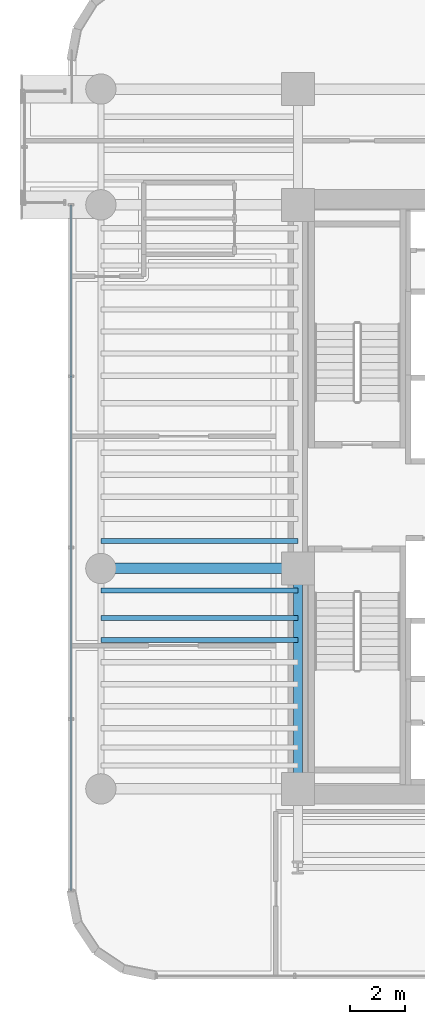
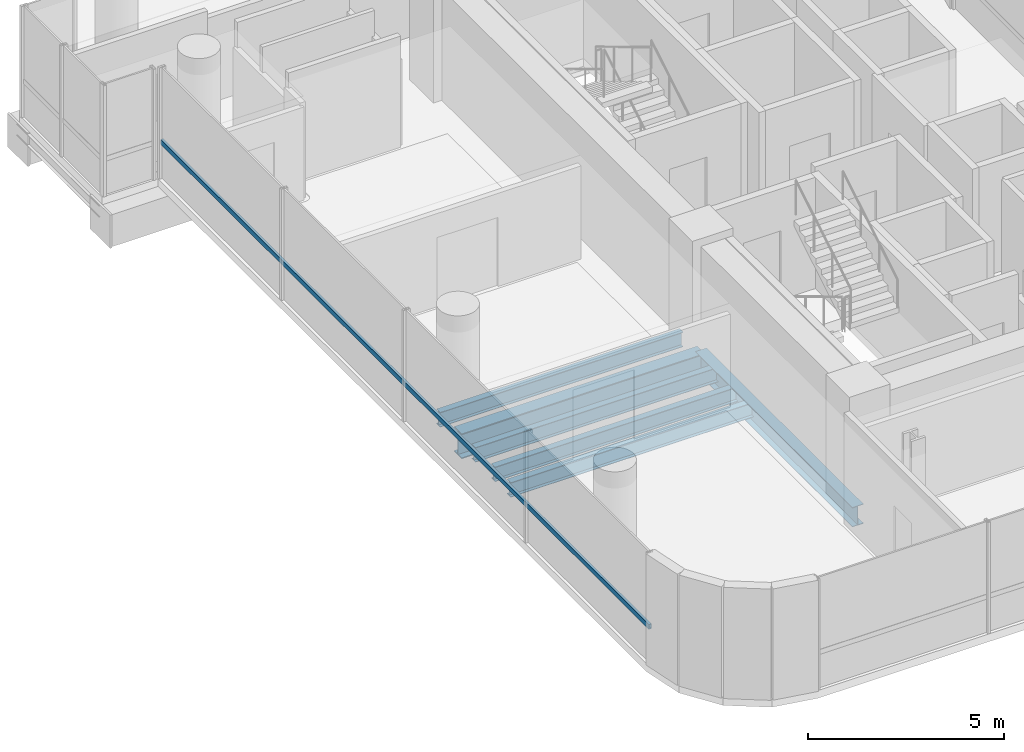
# One storey, part 5 of 34: 6 beams, 1 member, 1 element without a shape of its own.
"""IFC4 building model written with IfcOpenShell, lengths in metres."""

import ifcopenshell
import ifcopenshell.guid

model = None  # the IFC model being written
_history = None  # IfcOwnerHistory: only IFC2X3 demands one
_inside = {}  # id of a spatial element -> (the spatial element, [elements in it])
_under = {}  # id of a project, library or spatial element -> (it, [spatial elements below it])
_declared = {}  # id of a project -> (the project, [libraries it declares])
_typed = {}  # id of a type object -> (the type object, [elements of that type])
_made_of = {}  # id of a material, layer set ... -> (it, [elements and type objects made of it])


def new_model(schema):
    """Start an empty IFC model of exactly this schema.

    Asked for "IFC4X3", IfcOpenShell would pick the latest addendum, in which some entities
    have other attributes; the version numbers below select the first issue.
    IFC2X3 requires an IfcOwnerHistory on every rooted entity: one is made here for all.
    """
    global model, _history
    if schema == "IFC4X3":
        model = ifcopenshell.file(schema_version=(4, 3, 0, 0))
    else:
        model = ifcopenshell.file(schema=schema)
    _inside.clear()
    _under.clear()
    _declared.clear()
    _typed.clear()
    _made_of.clear()
    _history = None
    if model.schema == "IFC2X3":
        org = make("IfcOrganization", Name="unknown")
        user = make(
            "IfcPersonAndOrganization",
            ThePerson=make("IfcPerson", FamilyName="unknown"),
            TheOrganization=org,
        )
        app = make(
            "IfcApplication",
            ApplicationDeveloper=org,
            Version="unknown",
            ApplicationFullName="unknown",
            ApplicationIdentifier="unknown",
        )
        _history = make(
            "IfcOwnerHistory",
            OwningUser=user,
            OwningApplication=app,
            ChangeAction="ADDED",
            CreationDate=0,
        )
    return model


def make(cls, **values):
    """One entity of the class cls with the attributes given. An attribute that is None is left unset."""
    return model.create_entity(
        cls, **{name: value for name, value in values.items() if value is not None}
    )


def rooted(cls, **values):
    """An entity with a GlobalId (a new one), such as an element, a storey or a relation."""
    return make(cls, GlobalId=ifcopenshell.guid.new(), OwnerHistory=_history, **values)


def si_unit(unit_type, name, prefix=None):
    """IfcSIUnit, for example si_unit("LENGTHUNIT", "METRE", prefix="MILLI")."""
    return make("IfcSIUnit", UnitType=unit_type, Prefix=prefix, Name=name)


def assignment(units):
    """IfcUnitAssignment: the units of a project."""
    return None if units is None else make("IfcUnitAssignment", Units=units)


def point(xyz):
    """IfcCartesianPoint."""
    return None if xyz is None else make("IfcCartesianPoint", Coordinates=xyz)


def direction(xyz):
    """IfcDirection."""
    return None if xyz is None else make("IfcDirection", DirectionRatios=xyz)


def frame(location, z_axis=None, x_axis=None):
    """IfcAxis2Placement3D, a coordinate frame: its origin and axes. An axis left out is left unset."""
    return make(
        "IfcAxis2Placement3D",
        Location=point(location),
        Axis=direction(z_axis),
        RefDirection=direction(x_axis),
    )


def frame_2d(location, x_axis=None):
    """IfcAxis2Placement2D, a coordinate frame in the plane: its origin and x axis."""
    return make(
        "IfcAxis2Placement2D", Location=point(location), RefDirection=direction(x_axis)
    )


def origin():
    """The frame at (0, 0, 0) with its axes left unset."""
    return frame((0.0, 0.0, 0.0))


def origin_2d():
    """The frame at (0, 0) in the plane with its x axis left unset."""
    return frame_2d((0.0, 0.0))


def place(relative_to, where):
    """IfcLocalPlacement: puts the frame where relative to a parent placement (None: the world)."""
    return make(
        "IfcLocalPlacement", PlacementRelTo=relative_to, RelativePlacement=where
    )


def context(
    kind, dimensions, precision=None, world=None, true_north=None, identifier=None
):
    """IfcGeometricRepresentationContext, for example the 3D "Model" context."""
    return make(
        "IfcGeometricRepresentationContext",
        ContextIdentifier=identifier,
        ContextType=kind,
        CoordinateSpaceDimension=dimensions,
        Precision=precision,
        WorldCoordinateSystem=world,
        TrueNorth=true_north,
    )


def subcontext(parent, identifier, kind, view, scale=None):
    """IfcGeometricRepresentationSubContext, for example "Body" below "Model"."""
    return make(
        "IfcGeometricRepresentationSubContext",
        ContextIdentifier=identifier,
        ContextType=kind,
        ParentContext=parent,
        TargetScale=scale,
        TargetView=view,
    )


def project(units=None, contexts=None):
    """IfcProject with its units and contexts."""
    return rooted(
        "IfcProject",
        Name="project",
        RepresentationContexts=contexts,
        UnitsInContext=assignment(units),
    )


def spatial(cls, under=None, at=None, **own):
    """A site, building, storey or space (cls), placed at a placement, below another one or the project."""
    s = rooted(cls, ObjectPlacement=at, **own)
    if under is not None:
        _under.setdefault(under.id(), (under, []))[1].append(s)
    return s


def profile(cls, at=None, kind="AREA", **sizes):
    """A parametric profile (cls). Its sizes go by their IFC names, for example OverallWidth=200.0."""
    return make(cls, ProfileType=kind, Position=at, **sizes)


def hollow_rectangle(**sizes):
    """IfcRectangleHollowProfileDef."""
    return profile("IfcRectangleHollowProfileDef", **sizes)


def i_section(**sizes):
    """IfcIShapeProfileDef."""
    return profile("IfcIShapeProfileDef", **sizes)


def extrude(swept, where, along, depth):
    """IfcExtrudedAreaSolid: the profile swept, set in the frame where, extruded along a direction by depth."""
    return make(
        "IfcExtrudedAreaSolid",
        SweptArea=swept,
        Position=where,
        ExtrudedDirection=direction(along),
        Depth=depth,
    )


def shape(context_of_items, identifier, shape_type, items):
    """IfcShapeRepresentation: the items that make up one representation, for example the "Body"."""
    return make(
        "IfcShapeRepresentation",
        ContextOfItems=context_of_items,
        RepresentationIdentifier=identifier,
        RepresentationType=shape_type,
        Items=items,
    )


def source(mapping_origin, context_of_items, identifier, shape_type, items):
    """IfcRepresentationMap: a shape defined once, which mapped items show again and again."""
    return make(
        "IfcRepresentationMap",
        MappingOrigin=mapping_origin,
        MappedRepresentation=shape(context_of_items, identifier, shape_type, items),
    )


def transform(
    local_origin,
    x_axis=None,
    y_axis=None,
    z_axis=None,
    scale=None,
    scale2=None,
    scale3=None,
    uniform=True,
):
    """IfcCartesianTransformationOperator3D, or its non-uniform kind. x_axis, y_axis, z_axis: its Axis1, 2, 3."""
    if uniform:
        return make(
            "IfcCartesianTransformationOperator3D",
            Axis1=direction(x_axis),
            Axis2=direction(y_axis),
            LocalOrigin=point(local_origin),
            Scale=scale,
            Axis3=direction(z_axis),
        )
    return make(
        "IfcCartesianTransformationOperator3DnonUniform",
        Axis1=direction(x_axis),
        Axis2=direction(y_axis),
        LocalOrigin=point(local_origin),
        Scale=scale,
        Axis3=direction(z_axis),
        Scale2=scale2,
        Scale3=scale3,
    )


def mapped(mapping_source, mapping_target):
    """IfcMappedItem: shows the shape of a source again, moved by a transform."""
    return make(
        "IfcMappedItem", MappingSource=mapping_source, MappingTarget=mapping_target
    )


def material(Name=None, Category=None):
    """IfcMaterial."""
    return make("IfcMaterial", Name=Name, Category=Category)


def material_profile(
    of_material, cross_section, Name=None, Category=None, Priority=None
):
    """IfcMaterialProfile: a cross section and its material."""
    return make(
        "IfcMaterialProfile",
        Name=Name,
        Material=of_material,
        Profile=cross_section,
        Priority=Priority,
        Category=Category,
    )


def profile_set(profiles, Name=None, composite=None):
    """IfcMaterialProfileSet."""
    return make(
        "IfcMaterialProfileSet",
        Name=Name,
        MaterialProfiles=profiles,
        CompositeProfile=composite,
    )


def made_of(thing, what):
    """Note that an element or type object is made of a material, layer set ...; save() writes the relation."""
    if what is not None:
        _made_of.setdefault(what.id(), (what, []))[1].append(thing)
    return thing


def type_object(cls, material=None, **own):
    """A type object (cls), such as IfcWallType, which elements share."""
    return made_of(rooted(cls, **own), material)


def element(
    cls,
    number,
    at=None,
    inside=None,
    cuts=None,
    type_object=None,
    material=None,
    context=None,
    identifier="Body",
    shape_type=None,
    held_by="IfcProductDefinitionShape",
    body=None,
    shapes=None,
    **own,
):
    """One element of the class cls, such as IfcWall. Its Tag is "e" and its number.

    at: its placement. inside: the storey or other place that contains it. cuts: it is an
    opening in that element (IfcRelVoidsElement). A single representation is given by context,
    identifier, shape_type and body (its items); several are given by shapes. held_by: the class
    of the entity that holds the representations. save() writes the other relations.
    """
    e = rooted(cls, Tag="e%d" % number, ObjectPlacement=at, **own)
    if body is not None:
        shapes = [shape(context, identifier, shape_type, body)]
    if shapes is not None:
        e.Representation = make(held_by, Representations=shapes)
    if inside is not None:
        _inside.setdefault(inside.id(), (inside, []))[1].append(e)
    if cuts is not None:
        rooted(
            "IfcRelVoidsElement", RelatingBuildingElement=cuts, RelatedOpeningElement=e
        )
    if type_object is not None:
        _typed.setdefault(type_object.id(), (type_object, []))[1].append(e)
    return made_of(e, material)


def aggregate(whole, parts):
    """IfcRelAggregates: a whole, such as a stair, and the parts it consists of."""
    return rooted("IfcRelAggregates", RelatingObject=whole, RelatedObjects=parts)


def save(model, path):
    """Write the relations noted so far, then the file.

    IfcRelAggregates (storeys below a building ...), IfcRelContainedInSpatialStructure (elements
    in a storey), IfcRelDefinesByType, IfcRelAssociatesMaterial and IfcRelDeclares: one each for
    every whole, place, type object, material and project.
    """
    for whole, parts in _under.values():
        aggregate(whole, parts)
    for where, things in _inside.values():
        rooted(
            "IfcRelContainedInSpatialStructure",
            RelatedElements=things,
            RelatingStructure=where,
        )
    for kind, things in _typed.values():
        rooted("IfcRelDefinesByType", RelatedObjects=things, RelatingType=kind)
    for what, things in _made_of.values():
        rooted("IfcRelAssociatesMaterial", RelatedObjects=things, RelatingMaterial=what)
    for by, libraries in _declared.values():
        rooted("IfcRelDeclares", RelatingContext=by, RelatedDefinitions=libraries)
    model.write(path)


model = new_model("IFC4")

# Units and contexts
model_context = context("Model", 3, precision=1e-05, world=origin(), true_north=direction((0.0, 1.0)))
body_context = subcontext(model_context, "Body", "Model", "MODEL_VIEW")
ifc_project = project(units=[si_unit("LENGTHUNIT", "METRE"), si_unit("AREAUNIT", "SQUARE_METRE"), si_unit("VOLUMEUNIT", "CUBIC_METRE"), si_unit("PLANEANGLEUNIT", "RADIAN"), si_unit("MASSUNIT", "GRAM", prefix="KILO")], contexts=[model_context])

# Site, building, storey
site_placement = place(None, origin())
site = spatial("IfcSite", under=ifc_project, at=site_placement, CompositionType="ELEMENT")
building_placement = place(site_placement, origin())
building = spatial("IfcBuilding", under=site, at=building_placement, Name="Valdorenza Pilgrim Sanctuary Tower", CompositionType="ELEMENT")
storey_placement = place(building_placement, frame((0.0, 0.0, 120.5)))
storey = spatial("IfcBuildingStorey", under=building, at=storey_placement, Name="L30", CompositionType="ELEMENT", Elevation=120.5)

# Beams
ifc_material_1 = material(Name="Steel ASTM A992 Grade 50", Category="steel")
ifc_material_profile_1 = material_profile(ifc_material_1, i_section(OverallWidth=0.323974609375, OverallDepth=0.611083984375, WebThickness=0.0126953125, FlangeThickness=0.01904296875, at=origin_2d()), Name="W24X104")
ifc_profile_set_1 = profile_set([ifc_material_profile_1], Name="Steel ASTM A992 Grade 50")
beam_type_1 = type_object("IfcBeamType", Name="STR-BM-GRD-W24B", PredefinedType="BEAM", material=ifc_profile_set_1)
shared_shape_1 = source(origin(), body_context, "Body", "SweptSolid", [
    extrude(i_section(OverallWidth=0.323974609375, OverallDepth=0.611083984375, WebThickness=0.0126953125, FlangeThickness=0.01904296875, at=origin_2d()), origin(), (0.0, 0.0, 1.0), 8.0),
])
beam_1_placement = place(storey_placement, frame((-22.64990234375, -10.60009765625, -0.54541015625), z_axis=(0.0, 1.0, 0.0), x_axis=(-1.0, 0.0, 0.0)))
element("IfcBeam", 1, at=beam_1_placement, inside=storey, type_object=beam_type_1, Name="L30 Core Tie Girder CA-W-S1M0", PredefinedType="BEAM", context=body_context, shape_type="MappedRepresentation", body=[
    mapped(shared_shape_1, transform((0.0, 0.0, 0.0), x_axis=(1.0, 0.0, 0.0), y_axis=(0.0, 1.0, 0.0), z_axis=(0.0, 0.0, 1.0), scale=1.0)),
])
ifc_material_profile_2 = material_profile(ifc_material_1, i_section(OverallWidth=0.382080078125, OverallDepth=0.779052734375, WebThickness=0.01806640625, FlangeThickness=0.030029296875, at=origin_2d()), Name="W30X191")
ifc_profile_set_2 = profile_set([ifc_material_profile_2], Name="Steel ASTM A992 Grade 50")
beam_type_2 = type_object("IfcBeamType", Name="STR-BM-GRD-W30", PredefinedType="BEAM", material=ifc_profile_set_2)
shared_shape_2 = source(origin(), body_context, "Body", "SweptSolid", [
    extrude(i_section(OverallWidth=0.382080078125, OverallDepth=0.779052734375, WebThickness=0.01806640625, FlangeThickness=0.030029296875, at=origin_2d()), origin(), (0.0, 0.0, 1.0), 7.150146484375),
])
beam_2_placement = place(storey_placement, frame((-29.800048828125, -2.60009765625, -0.62939453125), z_axis=(1.0, 0.0, 0.0), x_axis=(0.0, 1.0, 0.0)))
element("IfcBeam", 2, at=beam_2_placement, inside=storey, type_object=beam_type_2, Name="L30 Floor Girder WA-XW-M0", PredefinedType="BEAM", context=body_context, shape_type="MappedRepresentation", body=[
    mapped(shared_shape_2, transform((0.0, 0.0, 0.0), x_axis=(1.0, 0.0, 0.0), y_axis=(0.0, 1.0, 0.0), z_axis=(0.0, 0.0, 1.0), scale=1.0)),
])
ifc_material_profile_3 = material_profile(ifc_material_1, i_section(OverallWidth=0.19091796875, OverallDepth=0.45703125, WebThickness=0.009033203125, FlangeThickness=0.014404296875, at=origin_2d()), Name="W18X50")
ifc_profile_set_3 = profile_set([ifc_material_profile_3], Name="Steel ASTM A992 Grade 50")
beam_type_3 = type_object("IfcBeamType", Name="STR-BM-JST-W18B", PredefinedType="JOIST", material=ifc_profile_set_3)
shared_shape_3 = source(origin(), body_context, "Body", "SweptSolid", [
    extrude(i_section(OverallWidth=0.19091796875, OverallDepth=0.45703125, WebThickness=0.009033203125, FlangeThickness=0.014404296875, at=origin_2d()), origin(), (0.0, 0.0, 1.0), 7.150146484375),
])
for number, where, z_axis, x_axis, name in (
    (3, (-29.800048828125, -5.199951171875, -0.468505859375), (1.0, 0.0, 0.0), (0.0, 1.0, 0.0), "L30 Composite Floor Joist JST-WA-7"),
    (4, (-29.800048828125, -4.39990234375, -0.468505859375), (1.0, 0.0, 0.0), (0.0, 1.0, 0.0), "L30 Composite Floor Joist JST-WA-8"),
    (5, (-29.800048828125, -3.39990234375, -0.468505859375), (1.0, 0.0, 0.0), (0.0, 1.0, 0.0), "L30 Composite Floor Joist JST-WA-9"),
    (6, (-29.800048828125, -1.60009765625, -0.468505859375), (1.0, 0.0, 0.0), (0.0, 1.0, 0.0), "L30 Composite Floor Joist JST-WA-10"),
):
    element("IfcBeam", number, at=place(storey_placement, frame(where, z_axis=z_axis, x_axis=x_axis)), inside=storey, type_object=beam_type_3, Name=name, PredefinedType="JOIST", context=body_context, shape_type="MappedRepresentation", body=[
        mapped(shared_shape_3, transform((0.0, 0.0, 0.0), x_axis=(1.0, 0.0, 0.0), y_axis=(0.0, 1.0, 0.0), z_axis=(0.0, 0.0, 1.0), scale=1.0)),
    ])

# Curtain wall, member
ifc_material_2 = material(Name="Curtain-wall IGU glazing", Category="glass")
curtain_wall_type = type_object("IfcCurtainWallType", Name="CW-SYS-02", PredefinedType="NOTDEFINED", material=ifc_material_2)
curtain_wall_placement = place(storey_placement, origin())
curtain_wall = element("IfcCurtainWall", 7, at=curtain_wall_placement, inside=storey, type_object=curtain_wall_type, Name="L30 Curtain Wall CW-L30-1-1S1", PredefinedType="NOTDEFINED")
ifc_material_3 = material(Name="Anodised aluminium AW-6060", Category="aluminium")
ifc_material_profile_4 = material_profile(ifc_material_3, hollow_rectangle(XDim=0.074951171875, YDim=0.14990234375, WallThickness=0.00390625, at=origin_2d()), Name="ALU-T 150x75x4")
ifc_profile_set_4 = profile_set([ifc_material_profile_4], Name="Anodised aluminium AW-6060")
member_type = type_object("IfcMemberType", Name="CW-TRN-02", PredefinedType="USERDEFINED", material=ifc_profile_set_4)
shared_shape_4 = source(origin(), body_context, "Body", "SweptSolid", [
    extrude(hollow_rectangle(XDim=0.074951171875, YDim=0.14990234375, WallThickness=0.00390625, at=origin_2d()), origin(), (0.0, 0.0, 1.0), 24.889404296875),
])
member_placement = place(storey_placement, frame((-30.889892578125, -14.289306640625, 1.1201171875), z_axis=(0.0, 1.0, 0.0), x_axis=(-1.0, 0.0, 0.0)))
member = element("IfcMember", 8, at=member_placement, type_object=member_type, Name="CW-L30-1-1S1 Transom 1", ObjectType="TRANSOM", PredefinedType="USERDEFINED", context=body_context, shape_type="MappedRepresentation", body=[
    mapped(shared_shape_4, transform((0.0, 0.0, 0.0), x_axis=(1.0, 0.0, 0.0), y_axis=(0.0, 1.0, 0.0), z_axis=(0.0, 0.0, 1.0), scale=1.0)),
])
aggregate(curtain_wall, [member])

save(model, "model.ifc")
